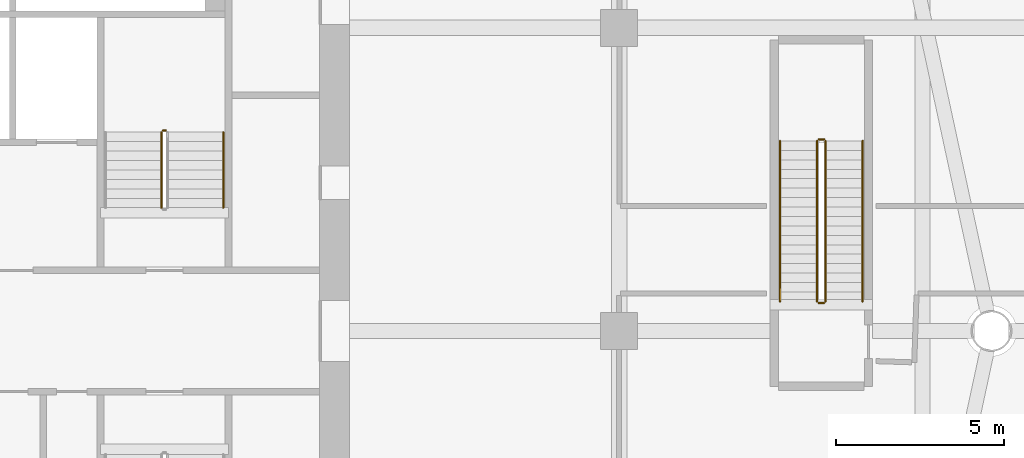
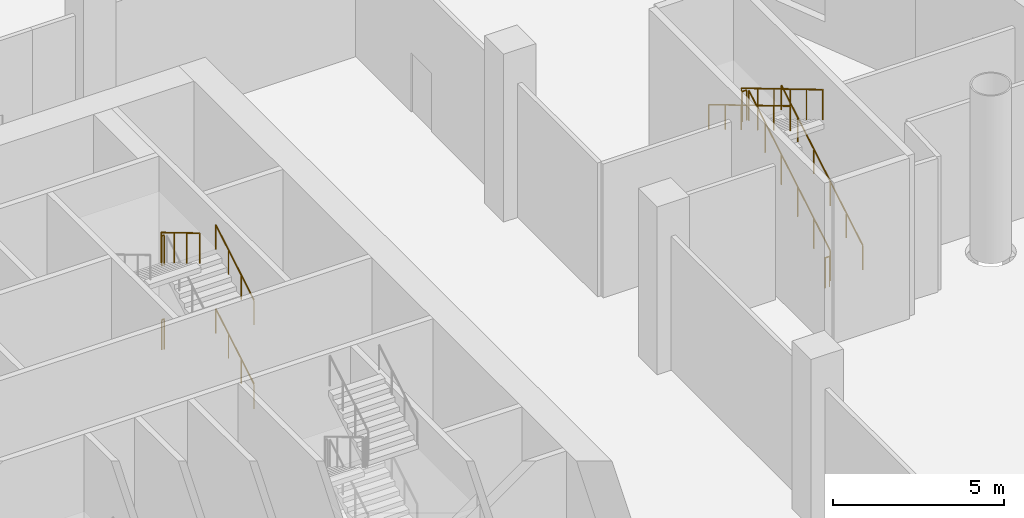
# One storey, part 23 of 24: 11 railings.
"""IFC4 building model written with IfcOpenShell, lengths in metres."""

from ifc_helpers import new_model, si_unit, direction, frame, origin, origin_2d, place, context, subcontext, project, spatial, circle, extrude, material, type_object, element, save


model = new_model("IFC4")

# Units and contexts
model_context = context("Model", 3, precision=1e-05, world=origin(), true_north=direction((0.0, 1.0)))
body_context = subcontext(model_context, "Body", "Model", "MODEL_VIEW")
ifc_project = project(units=[si_unit("LENGTHUNIT", "METRE"), si_unit("AREAUNIT", "SQUARE_METRE"), si_unit("VOLUMEUNIT", "CUBIC_METRE"), si_unit("PLANEANGLEUNIT", "RADIAN"), si_unit("MASSUNIT", "GRAM", prefix="KILO")], contexts=[model_context])

# Site, building, storey
site_placement = place(None, origin())
site = spatial("IfcSite", under=ifc_project, at=site_placement, CompositionType="ELEMENT")
building_placement = place(site_placement, origin())
building = spatial("IfcBuilding", under=site, at=building_placement, Name="Tarsis Ring Headquarters", CompositionType="ELEMENT")
storey_placement = place(building_placement, frame((0.0, 0.0, 8.0)))
storey = spatial("IfcBuildingStorey", under=building, at=storey_placement, Name="L01", CompositionType="ELEMENT", Elevation=8.0)

# Railings
ifc_material_1 = material(Name="Steel S355", Category="steel")
railing_type_1 = type_object("IfcRailingType", Name="Core stair guard 1100", PredefinedType="GUARDRAIL", material=ifc_material_1)
for number, where, name in (
    (1, (4.5400390625, 5.949951171875, 1.5), "L01 ST2 stair guard 2"),
    (2, (4.5400390625, 5.949951171875, 4.5), "L01 ST2 stair guard 6"),
):
    element("IfcRailing", number, at=place(storey_placement, frame(where)), inside=storey, type_object=railing_type_1, Name=name, PredefinedType="GUARDRAIL", context=body_context, shape_type="SweptSolid", body=[
        extrude(circle(Radius=0.02392578125, at=origin_2d()), frame((0.0, 0.0, 1.076171875), z_axis=(-1.0, 0.0, 0.0), x_axis=(0.0, -1.0, 0.0)), (0.0, 0.0, 1.0), 0.080078125),
        extrude(circle(Radius=0.02099609375, at=origin_2d()), origin(), (0.0, 0.0, 1.0), 1.052001953125),
        extrude(circle(Radius=0.02099609375, at=origin_2d()), frame((-0.080078125, 0.0, 0.0)), (0.0, 0.0, 1.0), 1.052001953125),
    ])
railing_1_placement = place(storey_placement, frame((4.409912109375, 5.89990234375, 4.666748046875)))
element("IfcRailing", 3, at=railing_1_placement, inside=storey, type_object=railing_type_1, Name="L01 ST2 stair guard 7", PredefinedType="GUARDRAIL", context=body_context, shape_type="SweptSolid", body=[
    extrude(circle(Radius=0.02392578125, at=origin_2d()), frame((0.0, 0.0, 1.076171875), z_axis=(0.0, -0.859305625298, 0.511462454469), x_axis=(1.0, 0.0, 0.0)), (0.0, 0.0, 1.0), 2.606689453125),
    extrude(circle(Radius=0.02099609375, at=origin_2d()), origin(), (0.0, 0.0, 1.0), 1.052001953125),
    extrude(circle(Radius=0.02099609375, at=origin_2d()), frame((0.0, -0.74658203125, 0.4443359375)), (0.0, 0.0, 1.0), 1.052001953125),
    extrude(circle(Radius=0.02099609375, at=origin_2d()), frame((0.0, -1.493408203125, 0.888916015625)), (0.0, 0.0, 1.0), 1.052001953125),
    extrude(circle(Radius=0.02099609375, at=origin_2d()), frame((0.0, -2.239990234375, 1.333251953125)), (0.0, 0.0, 1.0), 1.052001953125),
])
railing_type_2 = type_object("IfcRailingType", Name="Core stair handrail 900", PredefinedType="HANDRAIL", material=ifc_material_1)
for number, where, name in (
    (4, (6.25, 3.659912109375, 0.166748046875), "L01 ST2 stair handrail 1"),
    (5, (6.25, 3.659912109375, 3.166748046875), "L01 ST2 stair handrail 3"),
):
    element("IfcRailing", number, at=place(storey_placement, frame(where)), inside=storey, type_object=railing_type_2, Name=name, PredefinedType="HANDRAIL", context=body_context, shape_type="SweptSolid", body=[
        extrude(circle(Radius=0.02392578125, at=origin_2d()), frame((0.0, 0.0, 0.8759765625), z_axis=(0.0, 0.859305625298, 0.511462454469), x_axis=(-1.0, 0.0, 0.0)), (0.0, 0.0, 1.0), 2.606689453125),
        extrude(circle(Radius=0.02099609375, at=origin_2d()), origin(), (0.0, 0.0, 1.0), 0.851806640625),
        extrude(circle(Radius=0.02099609375, at=origin_2d()), frame((0.0, 0.74658203125, 0.4443359375)), (0.0, 0.0, 1.0), 0.851806640625),
        extrude(circle(Radius=0.02099609375, at=origin_2d()), frame((0.0, 1.493408203125, 0.888916015625)), (0.0, 0.0, 1.0), 0.851806640625),
        extrude(circle(Radius=0.02099609375, at=origin_2d()), frame((0.0, 2.239990234375, 1.333251953125)), (0.0, 0.0, 1.0), 0.851806640625),
    ])
ifc_material_2 = material(Name="Stainless steel", Category="steel")
railing_type_3 = type_object("IfcRailingType", Name="PO-RL-G", PredefinedType="GUARDRAIL", material=ifc_material_2)
railing_2_placement = place(storey_placement, frame((24.125, 0.8798828125, 0.166748046875)))
element("IfcRailing", 6, at=railing_2_placement, inside=storey, type_object=railing_type_3, Name="L01 PS1 stair guard 1", PredefinedType="GUARDRAIL", context=body_context, shape_type="SweptSolid", body=[
    extrude(circle(Radius=0.02392578125, at=origin_2d()), frame((0.0, 0.0, 1.076171875), z_axis=(0.0, 0.859299802514, 0.511472237174), x_axis=(-1.0, 0.0, 0.0)), (0.0, 0.0, 1.0), 5.539306640625),
    extrude(circle(Radius=0.02099609375, at=origin_2d()), origin(), (0.0, 0.0, 1.0), 1.052001953125),
    extrude(circle(Radius=0.02099609375, at=origin_2d()), frame((0.0, 0.951904296875, 0.566650390625)), (0.0, 0.0, 1.0), 1.052001953125),
    extrude(circle(Radius=0.02099609375, at=origin_2d()), frame((0.0, 1.904052734375, 1.13330078125)), (0.0, 0.0, 1.0), 1.052001953125),
    extrude(circle(Radius=0.02099609375, at=origin_2d()), frame((0.0, 2.85595703125, 1.699951171875)), (0.0, 0.0, 1.0), 1.052001953125),
    extrude(circle(Radius=0.02099609375, at=origin_2d()), frame((0.0, 3.80810546875, 2.2666015625)), (0.0, 0.0, 1.0), 1.052001953125),
    extrude(circle(Radius=0.02099609375, at=origin_2d()), frame((0.0, 4.760009765625, 2.833251953125)), (0.0, 0.0, 1.0), 1.052001953125),
])
railing_3_placement = place(storey_placement, frame((24.074951171875, 5.68994140625, 3.0)))
element("IfcRailing", 7, at=railing_3_placement, inside=storey, type_object=railing_type_3, Name="L01 PS1 stair guard 2", PredefinedType="GUARDRAIL", context=body_context, shape_type="SweptSolid", body=[
    extrude(circle(Radius=0.02392578125, at=origin_2d()), frame((0.0, 0.0, 1.076171875), z_axis=(-1.0, 0.0, 0.0), x_axis=(0.0, -1.0, 0.0)), (0.0, 0.0, 1.0), 0.14990234375),
    extrude(circle(Radius=0.02099609375, at=origin_2d()), origin(), (0.0, 0.0, 1.0), 1.052001953125),
    extrude(circle(Radius=0.02099609375, at=origin_2d()), frame((-0.14990234375, 0.0, 0.0)), (0.0, 0.0, 1.0), 1.052001953125),
])
railing_4_placement = place(storey_placement, frame((23.875, 5.639892578125, 3.166748046875)))
element("IfcRailing", 8, at=railing_4_placement, inside=storey, type_object=railing_type_3, Name="L01 PS1 stair guard 3", PredefinedType="GUARDRAIL", context=body_context, shape_type="SweptSolid", body=[
    extrude(circle(Radius=0.02392578125, at=origin_2d()), frame((0.0, 0.0, 1.076171875), z_axis=(0.0, -0.859299802514, 0.511472237174), x_axis=(1.0, 0.0, 0.0)), (0.0, 0.0, 1.0), 5.539306640625),
    extrude(circle(Radius=0.02099609375, at=origin_2d()), origin(), (0.0, 0.0, 1.0), 1.052001953125),
    extrude(circle(Radius=0.02099609375, at=origin_2d()), frame((0.0, -0.951904296875, 0.566650390625)), (0.0, 0.0, 1.0), 1.052001953125),
    extrude(circle(Radius=0.02099609375, at=origin_2d()), frame((0.0, -1.904052734375, 1.13330078125)), (0.0, 0.0, 1.0), 1.052001953125),
    extrude(circle(Radius=0.02099609375, at=origin_2d()), frame((0.0, -2.85595703125, 1.699951171875)), (0.0, 0.0, 1.0), 1.052001953125),
    extrude(circle(Radius=0.02099609375, at=origin_2d()), frame((0.0, -3.80810546875, 2.2666015625)), (0.0, 0.0, 1.0), 1.052001953125),
    extrude(circle(Radius=0.02099609375, at=origin_2d()), frame((0.0, -4.760009765625, 2.833251953125)), (0.0, 0.0, 1.0), 1.052001953125),
])
railing_5_placement = place(storey_placement, frame((24.074951171875, 0.830078125, 0.0)))
element("IfcRailing", 9, at=railing_5_placement, inside=storey, type_object=railing_type_3, Name="L01 PS1 stair guard 4", PredefinedType="GUARDRAIL", context=body_context, shape_type="SweptSolid", body=[
    extrude(circle(Radius=0.02392578125, at=origin_2d()), frame((0.0, 0.0, 1.076171875), z_axis=(-1.0, 0.0, 0.0), x_axis=(0.0, -1.0, 0.0)), (0.0, 0.0, 1.0), 0.14990234375),
    extrude(circle(Radius=0.02099609375, at=origin_2d()), origin(), (0.0, 0.0, 1.0), 1.052001953125),
    extrude(circle(Radius=0.02099609375, at=origin_2d()), frame((-0.14990234375, 0.0, 0.0)), (0.0, 0.0, 1.0), 1.052001953125),
])
railing_type_4 = type_object("IfcRailingType", Name="PO-RL-H", PredefinedType="HANDRAIL", material=ifc_material_2)
railing_6_placement = place(storey_placement, frame((25.22509765625, 0.8798828125, 0.166748046875)))
element("IfcRailing", 10, at=railing_6_placement, inside=storey, type_object=railing_type_4, Name="L01 PS1 stair handrail 1", PredefinedType="HANDRAIL", context=body_context, shape_type="SweptSolid", body=[
    extrude(circle(Radius=0.02392578125, at=origin_2d()), frame((0.0, 0.0, 0.8759765625), z_axis=(0.0, 0.859299802514, 0.511472237174), x_axis=(-1.0, 0.0, 0.0)), (0.0, 0.0, 1.0), 5.539306640625),
    extrude(circle(Radius=0.02099609375, at=origin_2d()), origin(), (0.0, 0.0, 1.0), 0.851806640625),
    extrude(circle(Radius=0.02099609375, at=origin_2d()), frame((0.0, 0.951904296875, 0.566650390625)), (0.0, 0.0, 1.0), 0.851806640625),
    extrude(circle(Radius=0.02099609375, at=origin_2d()), frame((0.0, 1.904052734375, 1.13330078125)), (0.0, 0.0, 1.0), 0.851806640625),
    extrude(circle(Radius=0.02099609375, at=origin_2d()), frame((0.0, 2.85595703125, 1.699951171875)), (0.0, 0.0, 1.0), 0.851806640625),
    extrude(circle(Radius=0.02099609375, at=origin_2d()), frame((0.0, 3.80810546875, 2.2666015625)), (0.0, 0.0, 1.0), 0.851806640625),
    extrude(circle(Radius=0.02099609375, at=origin_2d()), frame((0.0, 4.760009765625, 2.833251953125)), (0.0, 0.0, 1.0), 0.851806640625),
])
railing_7_placement = place(storey_placement, frame((22.77490234375, 5.639892578125, 3.166748046875)))
element("IfcRailing", 11, at=railing_7_placement, inside=storey, type_object=railing_type_4, Name="L01 PS1 stair handrail 2", PredefinedType="HANDRAIL", context=body_context, shape_type="SweptSolid", body=[
    extrude(circle(Radius=0.02392578125, at=origin_2d()), frame((0.0, 0.0, 0.8759765625), z_axis=(0.0, -0.859299802514, 0.511472237174), x_axis=(1.0, 0.0, 0.0)), (0.0, 0.0, 1.0), 5.539306640625),
    extrude(circle(Radius=0.02099609375, at=origin_2d()), origin(), (0.0, 0.0, 1.0), 0.851806640625),
    extrude(circle(Radius=0.02099609375, at=origin_2d()), frame((0.0, -0.951904296875, 0.566650390625)), (0.0, 0.0, 1.0), 0.851806640625),
    extrude(circle(Radius=0.02099609375, at=origin_2d()), frame((0.0, -1.904052734375, 1.13330078125)), (0.0, 0.0, 1.0), 0.851806640625),
    extrude(circle(Radius=0.02099609375, at=origin_2d()), frame((0.0, -2.85595703125, 1.699951171875)), (0.0, 0.0, 1.0), 0.851806640625),
    extrude(circle(Radius=0.02099609375, at=origin_2d()), frame((0.0, -3.80810546875, 2.2666015625)), (0.0, 0.0, 1.0), 0.851806640625),
    extrude(circle(Radius=0.02099609375, at=origin_2d()), frame((0.0, -4.760009765625, 2.833251953125)), (0.0, 0.0, 1.0), 0.851806640625),
])

save(model, "model.ifc")
